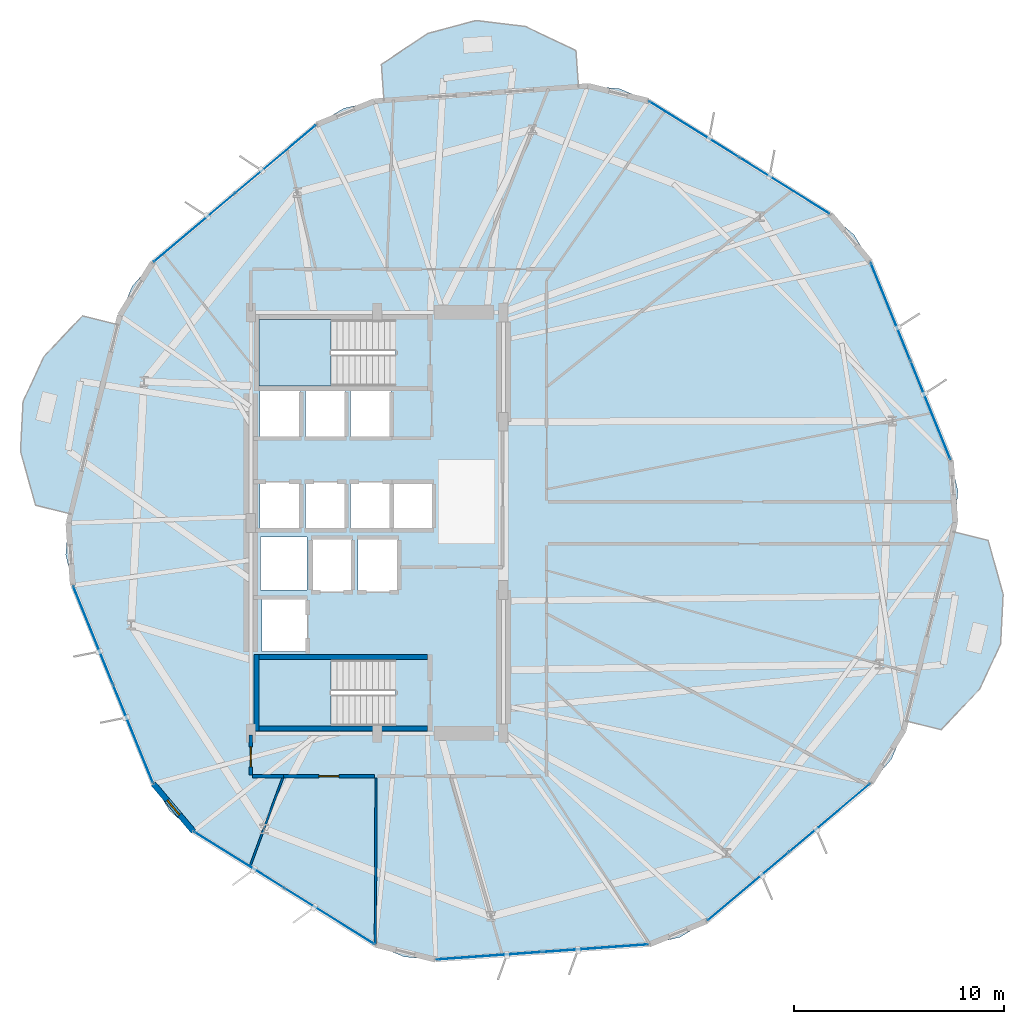
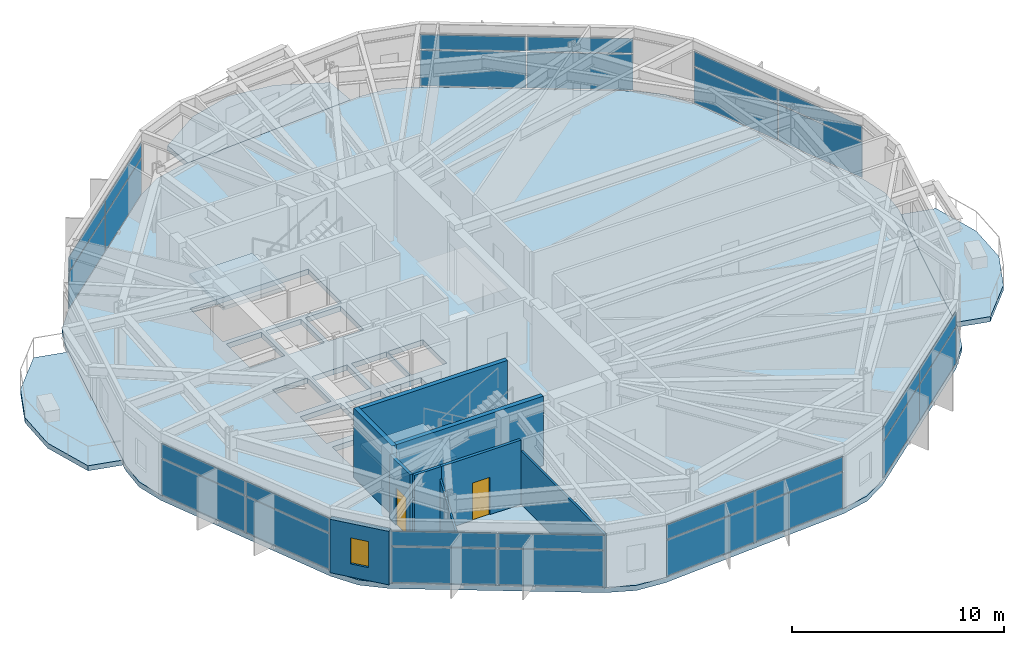
# One storey, part 15 of 22: 28 plates, 9 walls, 6 slabs, 2 doors, 1 window, 3 openings, 9 elements without a shape of their own.
"""IFC4 building model written with IfcOpenShell, lengths in metres."""

from ifc_helpers import new_model, si_unit, direction, frame, frame_2d, origin, origin_2d, place, context, subcontext, project, spatial, polyline, rectangle, outline, extrude, material, layer, layer_set, type_object, element, fill, aggregate, save


model = new_model("IFC4")

# Units and contexts
model_context = context("Model", 3, precision=1e-05, world=origin(), true_north=direction((0.0, 1.0)))
body_context = subcontext(model_context, "Body", "Model", "MODEL_VIEW")
ifc_project = project(units=[si_unit("LENGTHUNIT", "METRE"), si_unit("AREAUNIT", "SQUARE_METRE"), si_unit("VOLUMEUNIT", "CUBIC_METRE"), si_unit("PLANEANGLEUNIT", "RADIAN"), si_unit("MASSUNIT", "GRAM", prefix="KILO")], contexts=[model_context])

# Site, building, storey
site_placement = place(None, origin())
site = spatial("IfcSite", under=ifc_project, at=site_placement, CompositionType="ELEMENT")
building_placement = place(site_placement, origin())
building = spatial("IfcBuilding", under=site, at=building_placement, Name="Soratama Intermodal Tower", CompositionType="ELEMENT")
storey_placement = place(building_placement, frame((0.0, 0.0, 42.60009765625)))
storey = spatial("IfcBuildingStorey", under=building, at=storey_placement, Name="L09", CompositionType="ELEMENT", Elevation=42.60009765625)

# Curtain wall, plates
ifc_material_1 = material(Name="Double-glazed aluminium curtain wall", Category="aluminium")
ifc_layer_1 = layer(ifc_material_1, 0.159912109375)
ifc_layer_set_1 = layer_set([ifc_layer_1], Name="Double-glazed aluminium curtain wall")
curtain_wall_type = type_object("IfcCurtainWallType", Name="CW-SYS-2", PredefinedType="NOTDEFINED", material=ifc_layer_set_1)
curtain_wall_1_placement = place(storey_placement, origin())
curtain_wall_1 = element("IfcCurtainWall", 1, at=curtain_wall_1_placement, inside=storey, type_object=curtain_wall_type, Name="L09 Faceted Curtain Wall F01", PredefinedType="NOTDEFINED")
ifc_material_2 = material(Name="Low-E laminated double glazing", Category="glass")
ifc_layer_2 = layer(ifc_material_2, 0.031982421875)
ifc_layer_set_2 = layer_set([ifc_layer_2], Name="Low-E laminated double glazing")
plate_type = type_object("IfcPlateType", Name="PT-CWP-2", PredefinedType="CURTAIN_PANEL", material=ifc_layer_set_2)
plate_1_placement = place(storey_placement, frame((64.89306640625, 30.343505859375, 0.059814453125), z_axis=(0.0, 0.0, 1.0), x_axis=(-0.375908100215, 0.926656948494, 0.0)))
plate_1 = element("IfcPlate", 2, at=plate_1_placement, type_object=plate_type, Name="CW-2 panel 1.1", PredefinedType="CURTAIN_PANEL", context=body_context, shape_type="SweptSolid", body=[
    extrude(rectangle(XDim=4.99267578125, YDim=0.028076171875, at=origin_2d()), origin(), (0.0, 0.0, 1.0), 2.06005859375),
])
plate_2_placement = place(storey_placement, frame((64.89306640625, 30.343505859375, 2.1796875), z_axis=(0.0, 0.0, 1.0), x_axis=(-0.375908100215, 0.926656948494, 0.0)))
plate_2 = element("IfcPlate", 3, at=plate_2_placement, type_object=plate_type, Name="CW-2 panel 1.2", PredefinedType="CURTAIN_PANEL", context=body_context, shape_type="SweptSolid", body=[
    extrude(rectangle(XDim=4.99267578125, YDim=0.028076171875, at=origin_2d()), origin(), (0.0, 0.0, 1.0), 0.839111328125),
])
plate_3_placement = place(storey_placement, frame((62.99365234375, 35.025390625, 0.059814453125), z_axis=(0.0, 0.0, 1.0), x_axis=(-0.375908100215, 0.926656948494, 0.0)))
plate_3 = element("IfcPlate", 4, at=plate_3_placement, type_object=plate_type, Name="CW-2 panel 2.1", PredefinedType="CURTAIN_PANEL", context=body_context, shape_type="SweptSolid", body=[
    extrude(rectangle(XDim=4.99267578125, YDim=0.028076171875, at=origin_2d()), origin(), (0.0, 0.0, 1.0), 2.06005859375),
])
plate_4_placement = place(storey_placement, frame((62.99365234375, 35.025390625, 2.1796875), z_axis=(0.0, 0.0, 1.0), x_axis=(-0.375908100215, 0.926656948494, 0.0)))
plate_4 = element("IfcPlate", 5, at=plate_4_placement, type_object=plate_type, Name="CW-2 panel 2.2", PredefinedType="CURTAIN_PANEL", context=body_context, shape_type="SweptSolid", body=[
    extrude(rectangle(XDim=4.99267578125, YDim=0.028076171875, at=origin_2d()), origin(), (0.0, 0.0, 1.0), 0.839111328125),
])
aggregate(curtain_wall_1, [plate_1, plate_2, plate_3, plate_4])

curtain_wall_2_placement = place(storey_placement, origin())
curtain_wall_2 = element("IfcCurtainWall", 6, at=curtain_wall_2_placement, inside=storey, type_object=curtain_wall_type, Name="L09 Faceted Curtain Wall F02", PredefinedType="NOTDEFINED")
plate_5_placement = place(storey_placement, frame((57.953125, 41.015625, 0.059814453125), z_axis=(0.0, 0.0, 1.0), x_axis=(-0.848787123819, 0.528734733527, 0.0)))
plate_5 = element("IfcPlate", 7, at=plate_5_placement, type_object=plate_type, Name="CW-2 panel 1.1", PredefinedType="CURTAIN_PANEL", context=body_context, shape_type="SweptSolid", body=[
    extrude(rectangle(XDim=4.99267578125, YDim=0.028076171875, at=origin_2d()), origin(), (0.0, 0.0, 1.0), 2.06005859375),
])
plate_6_placement = place(storey_placement, frame((57.953125, 41.015625, 2.1796875), z_axis=(0.0, 0.0, 1.0), x_axis=(-0.848787123819, 0.528734733527, 0.0)))
plate_6 = element("IfcPlate", 8, at=plate_6_placement, type_object=plate_type, Name="CW-2 panel 1.2", PredefinedType="CURTAIN_PANEL", context=body_context, shape_type="SweptSolid", body=[
    extrude(rectangle(XDim=4.99267578125, YDim=0.028076171875, at=origin_2d()), origin(), (0.0, 0.0, 1.0), 0.839111328125),
])
plate_7_placement = place(storey_placement, frame((53.66455078125, 43.687255859375, 0.059814453125), z_axis=(0.0, 0.0, 1.0), x_axis=(-0.848787123819, 0.528734733527, 0.0)))
plate_7 = element("IfcPlate", 9, at=plate_7_placement, type_object=plate_type, Name="CW-2 panel 2.1", PredefinedType="CURTAIN_PANEL", context=body_context, shape_type="SweptSolid", body=[
    extrude(rectangle(XDim=4.99267578125, YDim=0.028076171875, at=origin_2d()), origin(), (0.0, 0.0, 1.0), 2.06005859375),
])
plate_8_placement = place(storey_placement, frame((53.66455078125, 43.687255859375, 2.1796875), z_axis=(0.0, 0.0, 1.0), x_axis=(-0.848787123819, 0.528734733527, 0.0)))
plate_8 = element("IfcPlate", 10, at=plate_8_placement, type_object=plate_type, Name="CW-2 panel 2.2", PredefinedType="CURTAIN_PANEL", context=body_context, shape_type="SweptSolid", body=[
    extrude(rectangle(XDim=4.99267578125, YDim=0.028076171875, at=origin_2d()), origin(), (0.0, 0.0, 1.0), 0.839111328125),
])
aggregate(curtain_wall_2, [plate_5, plate_6, plate_7, plate_8])

curtain_wall_3_placement = place(storey_placement, origin())
curtain_wall_3 = element("IfcCurtainWall", 11, at=curtain_wall_3_placement, inside=storey, type_object=curtain_wall_type, Name="L09 Faceted Curtain Wall F04", PredefinedType="NOTDEFINED")
plate_9_placement = place(storey_placement, frame((33.770751953125, 42.268310546875, 0.059814453125), z_axis=(0.0, 0.0, 1.0), x_axis=(-0.765149158645, -0.643853061672, 0.0)))
plate_9 = element("IfcPlate", 12, at=plate_9_placement, type_object=plate_type, Name="CW-2 panel 1.1", PredefinedType="CURTAIN_PANEL", context=body_context, shape_type="SweptSolid", body=[
    extrude(rectangle(XDim=4.99267578125, YDim=0.028076171875, at=origin_2d()), origin(), (0.0, 0.0, 1.0), 2.06005859375),
])
plate_10_placement = place(storey_placement, frame((33.770751953125, 42.268310546875, 2.1796875), z_axis=(0.0, 0.0, 1.0), x_axis=(-0.765149158645, -0.643853061672, 0.0)))
plate_10 = element("IfcPlate", 13, at=plate_10_placement, type_object=plate_type, Name="CW-2 panel 1.2", PredefinedType="CURTAIN_PANEL", context=body_context, shape_type="SweptSolid", body=[
    extrude(rectangle(XDim=4.99267578125, YDim=0.028076171875, at=origin_2d()), origin(), (0.0, 0.0, 1.0), 0.839111328125),
])
plate_11_placement = place(storey_placement, frame((29.90478515625, 39.01513671875, 0.059814453125), z_axis=(0.0, 0.0, 1.0), x_axis=(-0.765149158645, -0.643853061672, 0.0)))
plate_11 = element("IfcPlate", 14, at=plate_11_placement, type_object=plate_type, Name="CW-2 panel 2.1", PredefinedType="CURTAIN_PANEL", context=body_context, shape_type="SweptSolid", body=[
    extrude(rectangle(XDim=4.99267578125, YDim=0.028076171875, at=origin_2d()), origin(), (0.0, 0.0, 1.0), 2.06005859375),
])
plate_12_placement = place(storey_placement, frame((29.90478515625, 39.01513671875, 2.1796875), z_axis=(0.0, 0.0, 1.0), x_axis=(-0.765149158645, -0.643853061672, 0.0)))
plate_12 = element("IfcPlate", 15, at=plate_12_placement, type_object=plate_type, Name="CW-2 panel 2.2", PredefinedType="CURTAIN_PANEL", context=body_context, shape_type="SweptSolid", body=[
    extrude(rectangle(XDim=4.99267578125, YDim=0.028076171875, at=origin_2d()), origin(), (0.0, 0.0, 1.0), 0.839111328125),
])
aggregate(curtain_wall_3, [plate_9, plate_10, plate_11, plate_12])

curtain_wall_4_placement = place(storey_placement, origin())
curtain_wall_4 = element("IfcCurtainWall", 16, at=curtain_wall_4_placement, inside=storey, type_object=curtain_wall_type, Name="L09 Faceted Curtain Wall F06", PredefinedType="NOTDEFINED")
plate_13_placement = place(storey_placement, frame((25.10693359375, 19.656494140625, 0.059814453125), z_axis=(0.0, 0.0, 1.0), x_axis=(0.375908100215, -0.926656948494, 0.0)))
plate_13 = element("IfcPlate", 17, at=plate_13_placement, type_object=plate_type, Name="CW-2 panel 1.1", PredefinedType="CURTAIN_PANEL", context=body_context, shape_type="SweptSolid", body=[
    extrude(rectangle(XDim=4.99267578125, YDim=0.028076171875, at=origin_2d()), origin(), (0.0, 0.0, 1.0), 2.06005859375),
])
plate_14_placement = place(storey_placement, frame((25.10693359375, 19.656494140625, 2.1796875), z_axis=(0.0, 0.0, 1.0), x_axis=(0.375908100215, -0.926656948494, 0.0)))
plate_14 = element("IfcPlate", 18, at=plate_14_placement, type_object=plate_type, Name="CW-2 panel 1.2", PredefinedType="CURTAIN_PANEL", context=body_context, shape_type="SweptSolid", body=[
    extrude(rectangle(XDim=4.99267578125, YDim=0.028076171875, at=origin_2d()), origin(), (0.0, 0.0, 1.0), 0.839111328125),
])
plate_15_placement = place(storey_placement, frame((27.00634765625, 14.974609375, 0.059814453125), z_axis=(0.0, 0.0, 1.0), x_axis=(0.375908100215, -0.926656948494, 0.0)))
plate_15 = element("IfcPlate", 19, at=plate_15_placement, type_object=plate_type, Name="CW-2 panel 2.1", PredefinedType="CURTAIN_PANEL", context=body_context, shape_type="SweptSolid", body=[
    extrude(rectangle(XDim=4.99267578125, YDim=0.028076171875, at=origin_2d()), origin(), (0.0, 0.0, 1.0), 2.06005859375),
])
plate_16_placement = place(storey_placement, frame((27.00634765625, 14.974609375, 2.1796875), z_axis=(0.0, 0.0, 1.0), x_axis=(0.375908100215, -0.926656948494, 0.0)))
plate_16 = element("IfcPlate", 20, at=plate_16_placement, type_object=plate_type, Name="CW-2 panel 2.2", PredefinedType="CURTAIN_PANEL", context=body_context, shape_type="SweptSolid", body=[
    extrude(rectangle(XDim=4.99267578125, YDim=0.028076171875, at=origin_2d()), origin(), (0.0, 0.0, 1.0), 0.839111328125),
])
aggregate(curtain_wall_4, [plate_13, plate_14, plate_15, plate_16])

curtain_wall_5_placement = place(storey_placement, origin())
curtain_wall_5 = element("IfcCurtainWall", 21, at=curtain_wall_5_placement, inside=storey, type_object=curtain_wall_type, Name="L09 Faceted Curtain Wall F07", PredefinedType="NOTDEFINED")
plate_17_placement = place(storey_placement, frame((32.046875, 8.984375, 0.059814453125), z_axis=(0.0, 0.0, 1.0), x_axis=(0.848787123819, -0.528734733527, 0.0)))
plate_17 = element("IfcPlate", 22, at=plate_17_placement, type_object=plate_type, Name="CW-2 panel 1.1", PredefinedType="CURTAIN_PANEL", context=body_context, shape_type="SweptSolid", body=[
    extrude(rectangle(XDim=4.99267578125, YDim=0.028076171875, at=origin_2d()), origin(), (0.0, 0.0, 1.0), 2.06005859375),
])
plate_18_placement = place(storey_placement, frame((32.046875, 8.984375, 2.1796875), z_axis=(0.0, 0.0, 1.0), x_axis=(0.848787123819, -0.528734733527, 0.0)))
plate_18 = element("IfcPlate", 23, at=plate_18_placement, type_object=plate_type, Name="CW-2 panel 1.2", PredefinedType="CURTAIN_PANEL", context=body_context, shape_type="SweptSolid", body=[
    extrude(rectangle(XDim=4.99267578125, YDim=0.028076171875, at=origin_2d()), origin(), (0.0, 0.0, 1.0), 0.839111328125),
])
plate_19_placement = place(storey_placement, frame((36.33544921875, 6.312744140625, 0.059814453125), z_axis=(0.0, 0.0, 1.0), x_axis=(0.848787123819, -0.528734733527, 0.0)))
plate_19 = element("IfcPlate", 24, at=plate_19_placement, type_object=plate_type, Name="CW-2 panel 2.1", PredefinedType="CURTAIN_PANEL", context=body_context, shape_type="SweptSolid", body=[
    extrude(rectangle(XDim=4.99267578125, YDim=0.028076171875, at=origin_2d()), origin(), (0.0, 0.0, 1.0), 2.06005859375),
])
plate_20_placement = place(storey_placement, frame((36.33544921875, 6.312744140625, 2.1796875), z_axis=(0.0, 0.0, 1.0), x_axis=(0.848787123819, -0.528734733527, 0.0)))
plate_20 = element("IfcPlate", 25, at=plate_20_placement, type_object=plate_type, Name="CW-2 panel 2.2", PredefinedType="CURTAIN_PANEL", context=body_context, shape_type="SweptSolid", body=[
    extrude(rectangle(XDim=4.99267578125, YDim=0.028076171875, at=origin_2d()), origin(), (0.0, 0.0, 1.0), 0.839111328125),
])
aggregate(curtain_wall_5, [plate_17, plate_18, plate_19, plate_20])

curtain_wall_6_placement = place(storey_placement, origin())
curtain_wall_6 = element("IfcCurtainWall", 26, at=curtain_wall_6_placement, inside=storey, type_object=curtain_wall_type, Name="L09 Faceted Curtain Wall F08", PredefinedType="NOTDEFINED")
plate_21_placement = place(storey_placement, frame((43.9345703125, 4.429443359375, 0.059814453125), z_axis=(0.0, 0.0, 1.0), x_axis=(0.997465337004, 0.071154068573, 0.0)))
plate_21 = element("IfcPlate", 27, at=plate_21_placement, type_object=plate_type, Name="CW-2 panel 1.1", PredefinedType="CURTAIN_PANEL", context=body_context, shape_type="SweptSolid", body=[
    extrude(rectangle(XDim=4.99267578125, YDim=0.028076171875, at=origin_2d()), origin(), (0.0, 0.0, 1.0), 2.06005859375),
])
plate_22_placement = place(storey_placement, frame((43.9345703125, 4.429443359375, 2.1796875), z_axis=(0.0, 0.0, 1.0), x_axis=(0.997465337004, 0.071154068573, 0.0)))
plate_22 = element("IfcPlate", 28, at=plate_22_placement, type_object=plate_type, Name="CW-2 panel 1.2", PredefinedType="CURTAIN_PANEL", context=body_context, shape_type="SweptSolid", body=[
    extrude(rectangle(XDim=4.99267578125, YDim=0.028076171875, at=origin_2d()), origin(), (0.0, 0.0, 1.0), 0.839111328125),
])
plate_23_placement = place(storey_placement, frame((48.974365234375, 4.788818359375, 0.059814453125), z_axis=(0.0, 0.0, 1.0), x_axis=(0.997465337004, 0.071154068573, 0.0)))
plate_23 = element("IfcPlate", 29, at=plate_23_placement, type_object=plate_type, Name="CW-2 panel 2.1", PredefinedType="CURTAIN_PANEL", context=body_context, shape_type="SweptSolid", body=[
    extrude(rectangle(XDim=4.99267578125, YDim=0.028076171875, at=origin_2d()), origin(), (0.0, 0.0, 1.0), 2.06005859375),
])
plate_24_placement = place(storey_placement, frame((48.974365234375, 4.788818359375, 2.1796875), z_axis=(0.0, 0.0, 1.0), x_axis=(0.997465337004, 0.071154068573, 0.0)))
plate_24 = element("IfcPlate", 30, at=plate_24_placement, type_object=plate_type, Name="CW-2 panel 2.2", PredefinedType="CURTAIN_PANEL", context=body_context, shape_type="SweptSolid", body=[
    extrude(rectangle(XDim=4.99267578125, YDim=0.028076171875, at=origin_2d()), origin(), (0.0, 0.0, 1.0), 0.839111328125),
])
aggregate(curtain_wall_6, [plate_21, plate_22, plate_23, plate_24])

curtain_wall_7_placement = place(storey_placement, origin())
curtain_wall_7 = element("IfcCurtainWall", 31, at=curtain_wall_7_placement, inside=storey, type_object=curtain_wall_type, Name="L09 Faceted Curtain Wall F09", PredefinedType="NOTDEFINED")
plate_25_placement = place(storey_placement, frame((56.229248046875, 7.731689453125, 0.059814453125), z_axis=(0.0, 0.0, 1.0), x_axis=(0.765149158645, 0.643853061672, 0.0)))
plate_25 = element("IfcPlate", 32, at=plate_25_placement, type_object=plate_type, Name="CW-2 panel 1.1", PredefinedType="CURTAIN_PANEL", context=body_context, shape_type="SweptSolid", body=[
    extrude(rectangle(XDim=4.99267578125, YDim=0.028076171875, at=origin_2d()), origin(), (0.0, 0.0, 1.0), 2.06005859375),
])
plate_26_placement = place(storey_placement, frame((56.229248046875, 7.731689453125, 2.1796875), z_axis=(0.0, 0.0, 1.0), x_axis=(0.765149158645, 0.643853061672, 0.0)))
plate_26 = element("IfcPlate", 33, at=plate_26_placement, type_object=plate_type, Name="CW-2 panel 1.2", PredefinedType="CURTAIN_PANEL", context=body_context, shape_type="SweptSolid", body=[
    extrude(rectangle(XDim=4.99267578125, YDim=0.028076171875, at=origin_2d()), origin(), (0.0, 0.0, 1.0), 0.839111328125),
])
plate_27_placement = place(storey_placement, frame((60.09521484375, 10.98486328125, 0.059814453125), z_axis=(0.0, 0.0, 1.0), x_axis=(0.765149158645, 0.643853061672, 0.0)))
plate_27 = element("IfcPlate", 34, at=plate_27_placement, type_object=plate_type, Name="CW-2 panel 2.1", PredefinedType="CURTAIN_PANEL", context=body_context, shape_type="SweptSolid", body=[
    extrude(rectangle(XDim=4.99267578125, YDim=0.028076171875, at=origin_2d()), origin(), (0.0, 0.0, 1.0), 2.06005859375),
])
plate_28_placement = place(storey_placement, frame((60.09521484375, 10.98486328125, 2.1796875), z_axis=(0.0, 0.0, 1.0), x_axis=(0.765149158645, 0.643853061672, 0.0)))
plate_28 = element("IfcPlate", 35, at=plate_28_placement, type_object=plate_type, Name="CW-2 panel 2.2", PredefinedType="CURTAIN_PANEL", context=body_context, shape_type="SweptSolid", body=[
    extrude(rectangle(XDim=4.99267578125, YDim=0.028076171875, at=origin_2d()), origin(), (0.0, 0.0, 1.0), 0.839111328125),
])
aggregate(curtain_wall_7, [plate_25, plate_26, plate_27, plate_28])

# Slabs
ifc_material_3 = material(Name="Concrete f'c 42 MPa", Category="concrete")
ifc_layer_3 = layer(ifc_material_3, 0.2900390625)
ifc_layer_set_3 = layer_set([ifc_layer_3], Name="Concrete f'c 42 MPa")
slab_type_1 = type_object("IfcSlabType", Name="SL-EXT-BAL2", PredefinedType="FLOOR", material=ifc_layer_set_3)
slab_1_placement = place(storey_placement, frame((0.0, 0.0, -0.2900390625)))
element("IfcSlab", 36, at=slab_1_placement, inside=storey, type_object=slab_type_1, Name="L09 Planted Balcony East 1", PredefinedType="FLOOR", context=body_context, shape_type="SweptSolid", body=[
    extrude(outline(polyline([(63.727783203125, 15.585693359375), (65.956787109375, 24.57861328125), (67.626220703125, 24.164794921875), (68.34130859375, 21.601318359375), (68.22021484375, 19.2451171875), (67.22705078125, 17.104736328125), (65.397216796875, 15.171875), (63.727783203125, 15.585693359375)])), origin(), (0.0, 0.0, 1.0), 0.2900390625),
])
slab_2_placement = place(storey_placement, frame((0.0, 0.0, -0.2900390625)))
element("IfcSlab", 37, at=slab_2_placement, inside=storey, type_object=slab_type_1, Name="L09 Planted Balcony North 2", PredefinedType="FLOOR", context=body_context, shape_type="SweptSolid", body=[
    extrude(outline(polyline([(48.16650390625, 45.720458984375), (38.9248046875, 45.061279296875), (38.80224609375, 46.77685546875), (41.019287109375, 48.249267578125), (43.2978515625, 48.862060546875), (45.640380859375, 48.578857421875), (48.044189453125, 47.43603515625), (48.16650390625, 45.720458984375)])), origin(), (0.0, 0.0, 1.0), 0.2900390625),
])
slab_3_placement = place(storey_placement, frame((0.0, 0.0, -0.2900390625)))
element("IfcSlab", 38, at=slab_3_placement, inside=storey, type_object=slab_type_1, Name="L09 Planted Balcony West 3", PredefinedType="FLOOR", context=body_context, shape_type="SweptSolid", body=[
    extrude(outline(polyline([(26.272216796875, 34.414306640625), (24.043212890625, 25.42138671875), (22.373779296875, 25.835205078125), (21.65869140625, 28.398681640625), (21.77978515625, 30.7548828125), (22.77294921875, 32.895263671875), (24.602783203125, 34.828125), (26.272216796875, 34.414306640625)])), origin(), (0.0, 0.0, 1.0), 0.2900390625),
])

# Stair, slab
ifc_material_4 = material(Name="Concrete f'c 42 MPa", Category="concrete")
stair_type = type_object("IfcStairType", Name="ST-CORE-DOGLEG", PredefinedType="HALF_TURN_STAIR", material=ifc_material_4)
stair_1_placement = place(storey_placement, origin())
stair_1 = element("IfcStair", 39, at=stair_1_placement, inside=storey, type_object=stair_type, Name="L09 ST-1", PredefinedType="HALF_TURN_STAIR")
ifc_material_5 = material(Name="Concrete f'c 42 MPa", Category="concrete")
ifc_layer_4 = layer(ifc_material_5, 0.219970703125)
ifc_layer_set_4 = layer_set([ifc_layer_4], Name="Concrete f'c 42 MPa")
slab_type_2 = type_object("IfcSlabType", Name="SL-STAIR-LAND", PredefinedType="LANDING", material=ifc_layer_set_4)
slab_4_placement = place(storey_placement, frame((0.0, 0.0, 1.7998046875)))
slab_4 = element("IfcSlab", 40, at=slab_4_placement, type_object=slab_type_2, Name="ST-1 landing 1", PredefinedType="LANDING", context=body_context, shape_type="SweptSolid", body=[
    extrude(outline(polyline([(36.419921875, 18.5), (33.0, 18.5), (33.0, 15.35009765625), (36.419921875, 15.35009765625), (36.419921875, 18.5)])), origin(), (0.0, 0.0, 1.0), 0.2001953125),
])
aggregate(stair_1, [slab_4])

stair_2_placement = place(storey_placement, origin())
stair_2 = element("IfcStair", 41, at=stair_2_placement, inside=storey, type_object=stair_type, Name="L09 ST-2", PredefinedType="HALF_TURN_STAIR")
slab_5_placement = place(storey_placement, frame((0.0, 0.0, 1.7998046875)))
slab_5 = element("IfcSlab", 42, at=slab_5_placement, type_object=slab_type_2, Name="ST-2 landing 1", PredefinedType="LANDING", context=body_context, shape_type="SweptSolid", body=[
    extrude(outline(polyline([(36.419921875, 34.64990234375), (33.0, 34.64990234375), (33.0, 31.5), (36.419921875, 31.5), (36.419921875, 34.64990234375)])), origin(), (0.0, 0.0, 1.0), 0.2001953125),
])
aggregate(stair_2, [slab_5])

# Slab
ifc_material_6 = material(Name="Concrete f'c 42 MPa", Category="concrete")
ifc_layer_5 = layer(ifc_material_6, 0.280029296875)
ifc_layer_set_5 = layer_set([ifc_layer_5], Name="Concrete f'c 42 MPa")
slab_type_3 = type_object("IfcSlabType", Name="SL-TWR-280", PredefinedType="FLOOR", material=ifc_layer_set_5)
slab_6_placement = place(storey_placement, frame((0.0, 0.0, -0.300048828125)))
element("IfcSlab", 43, at=slab_6_placement, inside=storey, type_object=slab_type_3, Name="L09 Structural Floor Slab", PredefinedType="FLOOR", context=body_context, shape_type="SweptSolid", body=[
    extrude(outline(polyline([(66.06494140625, 25.015380859375), (66.19384765625, 26.51171875), (65.85400390625, 27.974609375), (62.03271484375, 37.394287109375), (61.257568359375, 38.680419921875), (60.122802734375, 39.6640625), (51.49462890625, 45.038818359375), (50.111572265625, 45.623779296875), (48.615234375, 45.75244140625), (38.475830078125, 45.029296875), (37.012939453125, 44.689453125), (35.726806640625, 43.9140625), (27.948974609375, 37.369140625), (26.965087890625, 36.234375), (26.38037109375, 34.851318359375), (23.93505859375, 24.984619140625), (23.80615234375, 23.48828125), (24.14599609375, 22.025390625), (27.96728515625, 12.605712890625), (28.742431640625, 11.319580078125), (29.877197265625, 10.3359375), (38.50537109375, 4.961181640625), (39.888427734375, 4.376220703125), (41.384765625, 4.24755859375), (51.524169921875, 4.970703125), (52.987060546875, 5.310546875), (54.273193359375, 6.0859375), (62.051025390625, 12.630859375), (63.034912109375, 13.765625), (63.61962890625, 15.148681640625), (66.06494140625, 25.015380859375)]), holes=[polyline([(33.0, 18.5), (33.0, 15.35009765625), (39.47509765625, 15.35009765625), (39.47509765625, 18.5), (33.0, 18.5)]), polyline([(35.260009765625, 18.889892578125), (35.260009765625, 21.409912109375), (33.139892578125, 21.409912109375), (33.139892578125, 18.889892578125), (35.260009765625, 18.889892578125)]), polyline([(33.050048828125, 21.800048828125), (35.280029296875, 21.800048828125), (35.280029296875, 24.320068359375), (33.050048828125, 24.320068359375), (33.050048828125, 21.800048828125)]), polyline([(34.9599609375, 26.909912109375), (33.0400390625, 26.909912109375), (33.0400390625, 24.68994140625), (34.9599609375, 24.68994140625), (34.9599609375, 26.909912109375)]), polyline([(37.110107421875, 24.68994140625), (37.110107421875, 26.909912109375), (35.18994140625, 26.909912109375), (35.18994140625, 24.68994140625), (37.110107421875, 24.68994140625)]), polyline([(34.9599609375, 29.0400390625), (34.9599609375, 31.260009765625), (33.0400390625, 31.260009765625), (33.0400390625, 29.0400390625), (34.9599609375, 29.0400390625)]), polyline([(37.110107421875, 31.260009765625), (35.18994140625, 31.260009765625), (35.18994140625, 29.0400390625), (37.110107421875, 29.0400390625), (37.110107421875, 31.260009765625)]), polyline([(37.409912109375, 21.739990234375), (37.409912109375, 24.260009765625), (35.489990234375, 24.260009765625), (35.489990234375, 21.739990234375), (37.409912109375, 21.739990234375)]), polyline([(39.610107421875, 21.739990234375), (39.610107421875, 24.260009765625), (37.68994140625, 24.260009765625), (37.68994140625, 21.739990234375), (39.610107421875, 21.739990234375)]), polyline([(39.260009765625, 24.68994140625), (39.260009765625, 26.909912109375), (37.340087890625, 26.909912109375), (37.340087890625, 24.68994140625), (39.260009765625, 24.68994140625)]), polyline([(41.260009765625, 24.68994140625), (41.260009765625, 26.909912109375), (39.340087890625, 26.909912109375), (39.340087890625, 24.68994140625), (41.260009765625, 24.68994140625)]), polyline([(39.260009765625, 29.0400390625), (39.260009765625, 31.260009765625), (37.340087890625, 31.260009765625), (37.340087890625, 29.0400390625), (39.260009765625, 29.0400390625)]), polyline([(39.47509765625, 34.64990234375), (33.0, 34.64990234375), (33.0, 31.5), (39.47509765625, 31.5), (39.47509765625, 34.64990234375)])]), origin(), (0.0, 0.0, 1.0), 0.300048828125),
])

# Wall, opening, window
ifc_material_7 = material(Name="Concrete f'c 42 MPa", Category="concrete")
ifc_layer_6 = layer(ifc_material_7, 0.27001953125)
ifc_layer_set_6 = layer_set([ifc_layer_6], Name="Concrete f'c 42 MPa")
wall_type_1 = type_object("IfcWallType", Name="EW-CRN-270", PredefinedType="SOLIDWALL", material=ifc_layer_set_6)
wall_1_placement = place(storey_placement, frame((27.96728515625, 12.605712890625, 0.0), z_axis=(0.0, 0.0, 1.0), x_axis=(0.643844242511, -0.765156579653, 0.0)))
wall_1 = element("IfcWall", 44, at=wall_1_placement, inside=storey, type_object=wall_type_1, Name="L09 Corner Closure Wall 06", PredefinedType="SOLIDWALL", context=body_context, shape_type="SweptSolid", body=[
    extrude(rectangle(XDim=2.96630859375, YDim=0.27001953125, at=frame_2d((1.483154296875, 0.0))), origin(), (0.0, 0.0, 1.0), 3.078857421875),
])
opening_1_placement = place(wall_1_placement, frame((1.033203125, 0.0, 0.75)))
opening_1 = element("IfcOpeningElement", 45, at=opening_1_placement, cuts=wall_1, Name="Opening WN-6", PredefinedType="OPENING", context=body_context, shape_type="SweptSolid", body=[
    extrude(rectangle(XDim=0.89990234375, YDim=1.5, at=frame_2d((0.449951171875, 0.75))), frame((0.0, 0.14501953125, 0.0), z_axis=(0.0, -1.0, 0.0), x_axis=(1.0, 0.0, 0.0)), (0.0, 0.0, 1.0), 0.2900390625),
])
ifc_material_8 = material(Name="Double-glazed aluminium window", Category="aluminium")
window_type = type_object("IfcWindowType", Name="WN-FAC-900", PartitioningType="SINGLE_PANEL", PredefinedType="WINDOW", material=ifc_material_8)
window_placement = place(opening_1_placement, origin())
window = element("IfcWindow", 46, at=window_placement, inside=storey, type_object=window_type, Name="L09 Corner Window 06", OverallHeight=1.5, OverallWidth=0.89990234375, PartitioningType="SINGLE_PANEL", PredefinedType="WINDOW", context=body_context, shape_type="SweptSolid", body=[
    extrude(rectangle(XDim=0.89990234375, YDim=1.5, at=frame_2d((0.449951171875, 0.75))), frame((0.0, 0.030029296875, 0.0), z_axis=(0.0, -1.0, 0.0), x_axis=(1.0, 0.0, 0.0)), (0.0, 0.0, 1.0), 0.06005859375),
])
fill(opening_1, window)

# Wall, opening, door
ifc_material_9 = material(Name="Fire-rated gypsum stud partition", Category="concrete")
ifc_layer_7 = layer(ifc_material_9, 0.159912109375)
ifc_layer_set_7 = layer_set([ifc_layer_7], Name="Fire-rated gypsum stud partition")
wall_type_2 = type_object("IfcWallType", Name="IW-PART-R160", PredefinedType="PARTITIONING", material=ifc_layer_set_7)
wall_2_placement = place(storey_placement, frame((38.47900390625, 12.949951171875, 0.0), z_axis=(0.0, 0.0, 1.0), x_axis=(-1.0, 0.0, 0.0)))
wall_2 = element("IfcWall", 47, at=wall_2_placement, inside=storey, type_object=wall_type_2, Name="L09 Partition W-L09-TP021", PredefinedType="PARTITIONING", context=body_context, shape_type="SweptSolid", body=[
    extrude(rectangle(XDim=4.3359375, YDim=0.159912109375, at=frame_2d((2.16796875, 0.0))), origin(), (0.0, 0.0, 1.0), 3.699951171875),
])
opening_2_placement = place(wall_2_placement, frame((1.693115234375, 0.0, 0.0)))
opening_2 = element("IfcOpeningElement", 48, at=opening_2_placement, cuts=wall_2, Name="Opening ID-3", PredefinedType="OPENING", context=body_context, shape_type="SweptSolid", body=[
    extrude(rectangle(XDim=0.949951171875, YDim=2.14990234375, at=frame_2d((0.47509765625, 1.074951171875))), frame((0.0, 0.08984375, 0.0), z_axis=(0.0, -1.0, 0.0), x_axis=(1.0, 0.0, 0.0)), (0.0, 0.0, 1.0), 0.179931640625),
])
ifc_material_10 = material(Name="Solid hardwood acoustic door", Category="wood")
door_type = type_object("IfcDoorType", Name="DR-ROOM-950", OperationType="NOTDEFINED", PredefinedType="DOOR", material=ifc_material_10)
door_1_placement = place(opening_2_placement, origin())
door_1 = element("IfcDoor", 49, at=door_1_placement, inside=storey, type_object=door_type, Name="L09 Door D-L09-TP007", OperationType="SINGLE_SWING_RIGHT", OverallHeight=2.14990234375, OverallWidth=0.949951171875, PredefinedType="DOOR", context=body_context, shape_type="SweptSolid", body=[
    extrude(rectangle(XDim=0.949951171875, YDim=2.14990234375, at=frame_2d((0.47509765625, 1.074951171875))), frame((0.0, 0.02490234375, 0.0), z_axis=(0.0, -1.0, 0.0), x_axis=(1.0, 0.0, 0.0)), (0.0, 0.0, 1.0), 0.050048828125),
])
fill(opening_2, door_1)

wall_3_placement = place(storey_placement, frame((32.60009765625, 13.02001953125, 0.0), z_axis=(0.0, 0.0, 1.0), x_axis=(0.0, 1.0, 0.0)))
wall_3 = element("IfcWall", 50, at=wall_3_placement, inside=storey, type_object=wall_type_2, Name="L09 Partition W-L09-TP032", PredefinedType="PARTITIONING", context=body_context, shape_type="SweptSolid", body=[
    extrude(rectangle(XDim=1.909912109375, YDim=0.159912109375, at=frame_2d((0.955078125, 0.0))), origin(), (0.0, 0.0, 1.0), 3.699951171875),
])
opening_3_placement = place(wall_3_placement, frame((0.384033203125, 0.0, 0.0)))
opening_3 = element("IfcOpeningElement", 51, at=opening_3_placement, cuts=wall_3, Name="Opening ID-3", PredefinedType="OPENING", context=body_context, shape_type="SweptSolid", body=[
    extrude(rectangle(XDim=0.949951171875, YDim=2.14990234375, at=frame_2d((0.47509765625, 1.074951171875))), frame((0.0, 0.08984375, 0.0), z_axis=(0.0, -1.0, 0.0), x_axis=(1.0, 0.0, 0.0)), (0.0, 0.0, 1.0), 0.179931640625),
])
door_2_placement = place(opening_3_placement, origin())
door_2 = element("IfcDoor", 52, at=door_2_placement, inside=storey, type_object=door_type, Name="L09 Door D-L09-TP018", OperationType="SINGLE_SWING_LEFT", OverallHeight=2.14990234375, OverallWidth=0.949951171875, PredefinedType="DOOR", context=body_context, shape_type="SweptSolid", body=[
    extrude(rectangle(XDim=0.949951171875, YDim=2.14990234375, at=frame_2d((0.47509765625, 1.074951171875))), frame((0.0, 0.02490234375, 0.0), z_axis=(0.0, -1.0, 0.0), x_axis=(1.0, 0.0, 0.0)), (0.0, 0.0, 1.0), 0.050048828125),
])
fill(opening_3, door_2)

# Walls
wall_4_placement = place(storey_placement, frame((34.14306640625, 12.949951171875, 0.0), z_axis=(0.0, 0.0, 1.0), x_axis=(-1.0, 0.0, 0.0)))
element("IfcWall", 53, at=wall_4_placement, inside=storey, type_object=wall_type_2, Name="L09 Partition W-L09-TP036", PredefinedType="PARTITIONING", context=body_context, shape_type="SweptSolid", body=[
    extrude(rectangle(XDim=1.47314453125, YDim=0.159912109375, at=frame_2d((0.736572265625, 0.0))), origin(), (0.0, 0.0, 1.0), 3.699951171875),
])
ifc_material_11 = material(Name="Fire-rated gypsum stud partition", Category="concrete")
ifc_layer_8 = layer(ifc_material_11, 0.10009765625)
ifc_layer_set_8 = layer_set([ifc_layer_8], Name="Fire-rated gypsum stud partition")
wall_type_3 = type_object("IfcWallType", Name="IW-PART-S100", PredefinedType="PARTITIONING", material=ifc_layer_set_8)
wall_5_placement = place(storey_placement, frame((34.14306640625, 12.949951171875, 0.0), z_axis=(0.0, 0.0, 1.0), x_axis=(-0.346990546702, -0.937868626461, 0.0)))
element("IfcWall", 54, at=wall_5_placement, inside=storey, type_object=wall_type_3, Name="L09 Partition W-L09-TP019", PredefinedType="PARTITIONING", context=body_context, shape_type="SweptSolid", body=[
    extrude(rectangle(XDim=4.567626953125, YDim=0.10009765625, at=frame_2d((2.28369140625, 0.0))), origin(), (0.0, 0.0, 1.0), 2.994873046875),
])
ifc_material_12 = material(Name="Fire-rated gypsum stud partition", Category="concrete")
ifc_layer_9 = layer(ifc_material_12, 0.110107421875)
ifc_layer_set_9 = layer_set([ifc_layer_9], Name="Fire-rated gypsum stud partition")
wall_type_4 = type_object("IfcWallType", Name="IW-PART-S110", PredefinedType="PARTITIONING", material=ifc_layer_set_9)
wall_6_placement = place(storey_placement, frame((38.549072265625, 12.8798828125, 0.0), z_axis=(0.0, 0.0, 1.0), x_axis=(-0.004314023704, -0.999990694556, 0.0)))
element("IfcWall", 55, at=wall_6_placement, inside=storey, type_object=wall_type_4, Name="L09 Partition W-L09-TP013", PredefinedType="PARTITIONING", context=body_context, shape_type="SweptSolid", body=[
    extrude(rectangle(XDim=7.9228515625, YDim=0.110107421875, at=frame_2d((3.96142578125, 0.0))), origin(), (0.0, 0.0, 1.0), 3.077880859375),
])
ifc_material_13 = material(Name="Concrete f'c 56 MPa", Category="concrete")
ifc_layer_10 = layer(ifc_material_13, 0.239990234375)
ifc_layer_set_10 = layer_set([ifc_layer_10], Name="Concrete f'c 56 MPa")
wall_type_5 = type_object("IfcWallType", Name="SW-STAIR-240", PredefinedType="SHEAR", material=ifc_layer_set_10)
wall_7_placement = place(storey_placement, frame((32.8798828125, 15.110107421875, 0.0), z_axis=(0.0, 0.0, 1.0), x_axis=(0.0, 1.0, 0.0)))
element("IfcWall", 56, at=wall_7_placement, inside=storey, type_object=wall_type_5, Name="L09 ST-1 Shaft Shear Wall W", PredefinedType="SHEAR", context=body_context, shape_type="SweptSolid", body=[
    extrude(rectangle(XDim=3.6298828125, YDim=0.239990234375, at=frame_2d((1.81494140625, 0.0))), origin(), (0.0, 0.0, 1.0), 4.0),
])
for number, where, z_axis, x_axis, name in (
    (57, (33.0, 15.22998046875, 0.0), (0.0, 0.0, 1.0), (1.0, 0.0, 0.0), "L09 ST-1 Shaft Shear Wall S"),
    (58, (33.0, 18.6201171875, 0.0), (0.0, 0.0, 1.0), (1.0, 0.0, 0.0), "L09 ST-1 Shaft Shear Wall N"),
):
    element("IfcWall", number, at=place(storey_placement, frame(where, z_axis=z_axis, x_axis=x_axis)), inside=storey, type_object=wall_type_5, Name=name, PredefinedType="SHEAR", context=body_context, shape_type="SweptSolid", body=[
        extrude(rectangle(XDim=8.0, YDim=0.239990234375, at=frame_2d((4.0, 0.0))), origin(), (0.0, 0.0, 1.0), 4.0),
    ])

save(model, "model.ifc")
